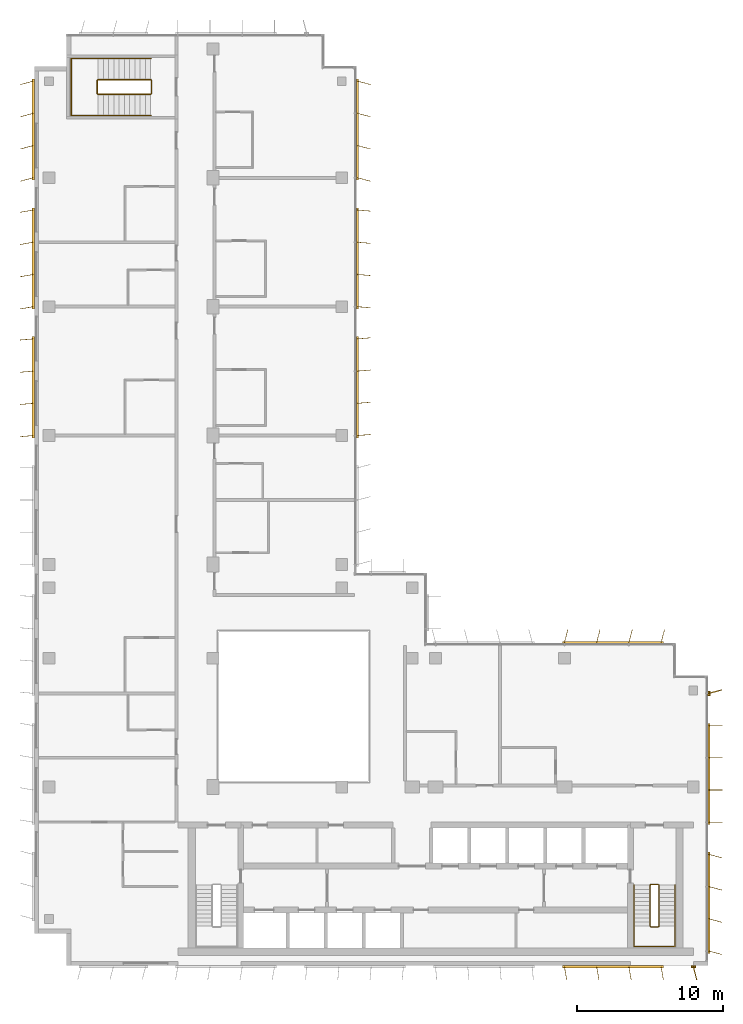
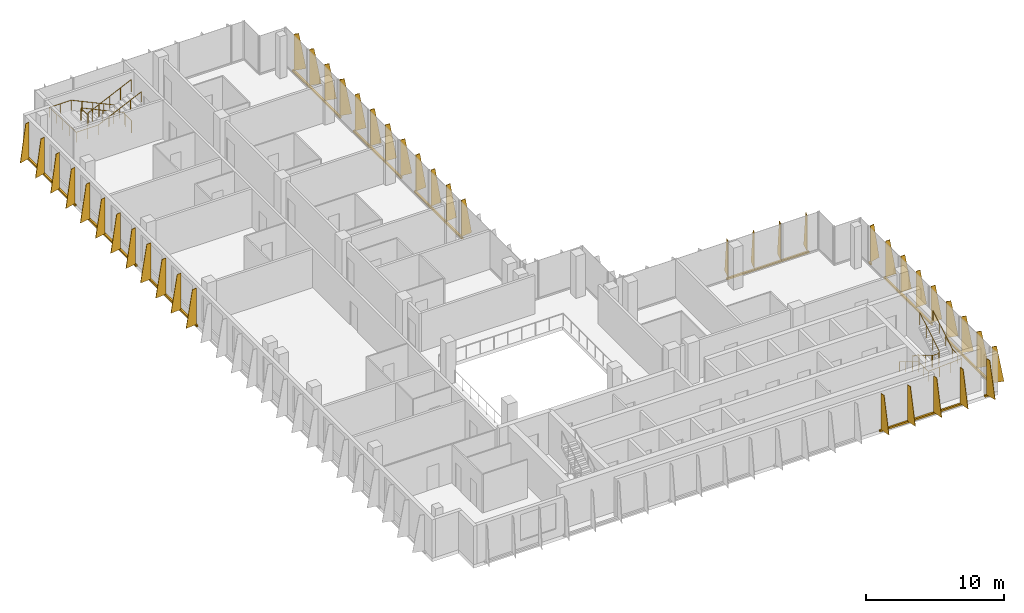
# One storey, part 14 of 15: 12 shading devices, 4 railings.
"""IFC4 building model written with IfcOpenShell, lengths in metres."""

from ifc_helpers import new_model, si_unit, direction, frame, origin, origin_2d, place, context, subcontext, project, spatial, polyline, rectangle, circle, outline, extrude, source, transform, mapped, material, layer, layer_set, type_object, element, save


model = new_model("IFC4")

# Units and contexts
model_context = context("Model", 3, precision=1e-05, world=origin(), true_north=direction((0.0, 1.0)))
body_context = subcontext(model_context, "Body", "Model", "MODEL_VIEW")
ifc_project = project(units=[si_unit("LENGTHUNIT", "METRE"), si_unit("AREAUNIT", "SQUARE_METRE"), si_unit("VOLUMEUNIT", "CUBIC_METRE"), si_unit("PLANEANGLEUNIT", "RADIAN"), si_unit("MASSUNIT", "GRAM", prefix="KILO")], contexts=[model_context])

# Site, building, storey
site_placement = place(None, origin())
site = spatial("IfcSite", under=ifc_project, at=site_placement, CompositionType="ELEMENT")
building_placement = place(site_placement, origin())
building = spatial("IfcBuilding", under=site, at=building_placement, Name="Kemantara Hotel Tower", CompositionType="ELEMENT")
storey_placement = place(building_placement, frame((0.0, 0.0, 233.89990234375)))
storey = spatial("IfcBuildingStorey", under=building, at=storey_placement, Name="L58", CompositionType="ELEMENT", Elevation=233.89990234375)

# Railings
ifc_material_1 = material(Name="Stainless steel balustrade", Category="steel")
railing_type_1 = type_object("IfcRailingType", Name="Stair guard 1100 mm", PredefinedType="GUARDRAIL", material=ifc_material_1)
railing_1_placement = place(storey_placement, frame((42.64990234375, 5.5, 3.7001953125)))
element("IfcRailing", 1, at=railing_1_placement, inside=storey, type_object=railing_type_1, Name="L58 ST2 stair guard 1", PredefinedType="GUARDRAIL", context=body_context, shape_type="SweptSolid", body=[
    extrude(circle(Radius=0.02392578125, at=origin_2d()), frame((0.0, 0.0, 1.076171875), z_axis=(0.0, -0.857242210791, -0.514913383045), x_axis=(1.0, 0.0, 0.0)), (0.0, 0.0, 1.0), 3.266357421875),
    extrude(circle(Radius=0.02392578125, at=origin_2d()), frame((0.0, -2.800048828125, -0.60595703125), z_axis=(-0.273006030465, -0.27434429532, -0.922064485248), x_axis=(0.708833529934, -0.705375805398, 0.0)), (0.0, 0.0, 1.0), 0.182373046875),
    extrude(circle(Radius=0.02392578125, at=origin_2d()), frame((-0.0498046875, -2.85009765625, -0.77392578125), z_axis=(-1.0, 0.0, 0.0), x_axis=(0.0, -1.0, 0.0)), (0.0, 0.0, 1.0), 0.5),
    extrude(circle(Radius=0.02392578125, at=origin_2d()), frame((-0.5498046875, -2.85009765625, -0.77392578125), z_axis=(-0.707106781187, 0.707106781187, 0.0), x_axis=(-0.707106781187, -0.707106781187, 0.0)), (0.0, 0.0, 1.0), 0.07080078125),
    extrude(circle(Radius=0.02392578125, at=origin_2d()), frame((-0.599853515625, -2.800048828125, -0.77392578125), z_axis=(0.0, 0.857242210791, -0.514913383045), x_axis=(-1.0, 0.0, 0.0)), (0.0, 0.0, 1.0), 3.266357421875),
    extrude(circle(Radius=0.02392578125, at=origin_2d()), frame((-0.599853515625, 0.0, -2.4560546875), z_axis=(0.274243871929, 0.274243871929, -0.92172696468), x_axis=(-0.707106781187, 0.707106781187, 0.0)), (0.0, 0.0, 1.0), 0.1826171875),
    extrude(circle(Radius=0.02392578125, at=origin_2d()), frame((-0.5498046875, 0.050048828125, -2.6240234375), z_axis=(1.0, 0.0, 0.0), x_axis=(0.0, 1.0, 0.0)), (0.0, 0.0, 1.0), 0.5),
    extrude(circle(Radius=0.02099609375, at=origin_2d()), origin(), (0.0, 0.0, 1.0), 1.052001953125),
    extrude(circle(Radius=0.02099609375, at=origin_2d()), frame((0.0, -0.933349609375, -0.560546875)), (0.0, 0.0, 1.0), 1.052001953125),
    extrude(circle(Radius=0.02099609375, at=origin_2d()), frame((0.0, -1.86669921875, -1.121337890625)), (0.0, 0.0, 1.0), 1.052001953125),
    extrude(circle(Radius=0.02099609375, at=origin_2d()), frame((0.0, -2.800048828125, -1.681884765625)), (0.0, 0.0, 1.0), 1.052001953125),
    extrude(circle(Radius=0.02099609375, at=origin_2d()), frame((-0.0498046875, -2.85009765625, -1.85009765625)), (0.0, 0.0, 1.0), 1.052001953125),
    extrude(circle(Radius=0.02099609375, at=origin_2d()), frame((-0.5498046875, -2.85009765625, -1.85009765625)), (0.0, 0.0, 1.0), 1.052001953125),
    extrude(circle(Radius=0.02099609375, at=origin_2d()), frame((-0.599853515625, -2.800048828125, -1.85009765625)), (0.0, 0.0, 1.0), 1.052001953125),
    extrude(circle(Radius=0.02099609375, at=origin_2d()), frame((-0.599853515625, -1.86669921875, -2.41064453125)), (0.0, 0.0, 1.0), 1.052001953125),
    extrude(circle(Radius=0.02099609375, at=origin_2d()), frame((-0.599853515625, -0.933349609375, -2.971435546875)), (0.0, 0.0, 1.0), 1.052001953125),
    extrude(circle(Radius=0.02099609375, at=origin_2d()), frame((-0.599853515625, 0.0, -3.531982421875)), (0.0, 0.0, 1.0), 1.052001953125),
    extrude(circle(Radius=0.02099609375, at=origin_2d()), frame((-0.5498046875, 0.050048828125, -3.7001953125)), (0.0, 0.0, 1.0), 1.052001953125),
    extrude(circle(Radius=0.02099609375, at=origin_2d()), frame((-0.0498046875, 0.050048828125, -3.7001953125)), (0.0, 0.0, 1.0), 1.052001953125),
])
railing_2_placement = place(storey_placement, frame((7.949951171875, 59.5, 3.7001953125)))
element("IfcRailing", 2, at=railing_2_placement, inside=storey, type_object=railing_type_1, Name="L58 ST4 stair guard 1", PredefinedType="GUARDRAIL", context=body_context, shape_type="SweptSolid", body=[
    extrude(circle(Radius=0.02392578125, at=origin_2d()), frame((0.0, 0.0, 1.076171875), z_axis=(-0.905994681025, 0.0, -0.423289071386), x_axis=(0.0, -1.0, 0.0)), (0.0, 0.0, 1.0), 3.973388671875),
    extrude(circle(Radius=0.02392578125, at=origin_2d()), frame((-3.599853515625, 0.0, -0.60595703125), z_axis=(-0.274243871929, 0.274243871929, -0.92172696468), x_axis=(-0.707106781187, -0.707106781187, 0.0)), (0.0, 0.0, 1.0), 0.1826171875),
    extrude(circle(Radius=0.02392578125, at=origin_2d()), frame((-3.64990234375, 0.050048828125, -0.77392578125), z_axis=(0.0, 1.0, 0.0), x_axis=(-1.0, 0.0, 0.0)), (0.0, 0.0, 1.0), 0.89990234375),
    extrude(circle(Radius=0.02392578125, at=origin_2d()), frame((-3.64990234375, 0.949951171875, -0.77392578125), z_axis=(0.707106781187, 0.707106781187, 0.0), x_axis=(-0.707106781187, 0.707106781187, 0.0)), (0.0, 0.0, 1.0), 0.07080078125),
    extrude(circle(Radius=0.02392578125, at=origin_2d()), frame((-3.599853515625, 1.0, -0.77392578125), z_axis=(0.905994681025, 0.0, -0.423289071386), x_axis=(0.0, 1.0, 0.0)), (0.0, 0.0, 1.0), 3.973388671875),
    extrude(circle(Radius=0.02392578125, at=origin_2d()), frame((0.0, 1.0, -2.4560546875), z_axis=(0.274243871929, -0.274243871929, -0.92172696468), x_axis=(0.707106781187, 0.707106781187, 0.0)), (0.0, 0.0, 1.0), 0.1826171875),
    extrude(circle(Radius=0.02392578125, at=origin_2d()), frame((0.050048828125, 0.949951171875, -2.6240234375), z_axis=(0.0, -1.0, 0.0), x_axis=(1.0, 0.0, 0.0)), (0.0, 0.0, 1.0), 0.89990234375),
    extrude(circle(Radius=0.02099609375, at=origin_2d()), origin(), (0.0, 0.0, 1.0), 1.052001953125),
    extrude(circle(Radius=0.02099609375, at=origin_2d()), frame((-0.89990234375, 0.0, -0.42041015625)), (0.0, 0.0, 1.0), 1.052001953125),
    extrude(circle(Radius=0.02099609375, at=origin_2d()), frame((-1.7998046875, 0.0, -0.8408203125)), (0.0, 0.0, 1.0), 1.052001953125),
    extrude(circle(Radius=0.02099609375, at=origin_2d()), frame((-2.699951171875, 0.0, -1.261474609375)), (0.0, 0.0, 1.0), 1.052001953125),
    extrude(circle(Radius=0.02099609375, at=origin_2d()), frame((-3.599853515625, 0.0, -1.681884765625)), (0.0, 0.0, 1.0), 1.052001953125),
    extrude(circle(Radius=0.02099609375, at=origin_2d()), frame((-3.64990234375, 0.050048828125, -1.85009765625)), (0.0, 0.0, 1.0), 1.052001953125),
    extrude(circle(Radius=0.02099609375, at=origin_2d()), frame((-3.64990234375, 0.949951171875, -1.85009765625)), (0.0, 0.0, 1.0), 1.052001953125),
    extrude(circle(Radius=0.02099609375, at=origin_2d()), frame((-3.599853515625, 1.0, -1.85009765625)), (0.0, 0.0, 1.0), 1.052001953125),
    extrude(circle(Radius=0.02099609375, at=origin_2d()), frame((-2.699951171875, 1.0, -2.2705078125)), (0.0, 0.0, 1.0), 1.052001953125),
    extrude(circle(Radius=0.02099609375, at=origin_2d()), frame((-1.7998046875, 1.0, -2.69091796875)), (0.0, 0.0, 1.0), 1.052001953125),
    extrude(circle(Radius=0.02099609375, at=origin_2d()), frame((-0.89990234375, 1.0, -3.111572265625)), (0.0, 0.0, 1.0), 1.052001953125),
    extrude(circle(Radius=0.02099609375, at=origin_2d()), frame((0.0, 1.0, -3.531982421875)), (0.0, 0.0, 1.0), 1.052001953125),
    extrude(circle(Radius=0.02099609375, at=origin_2d()), frame((0.050048828125, 0.949951171875, -3.7001953125)), (0.0, 0.0, 1.0), 1.052001953125),
    extrude(circle(Radius=0.02099609375, at=origin_2d()), frame((0.050048828125, 0.050048828125, -3.7001953125)), (0.0, 0.0, 1.0), 1.052001953125),
])
railing_type_2 = type_object("IfcRailingType", Name="Stair handrail 900 mm", PredefinedType="HANDRAIL", material=ifc_material_1)
railing_3_placement = place(storey_placement, frame((40.949951171875, 5.5, 0.168212890625)))
element("IfcRailing", 3, at=railing_3_placement, inside=storey, type_object=railing_type_2, Name="L58 ST2 stair handrail 1", PredefinedType="HANDRAIL", context=body_context, shape_type="SweptSolid", body=[
    extrude(circle(Radius=0.02392578125, at=origin_2d()), frame((0.0, 0.0, 0.8759765625), z_axis=(0.0, -0.857242210791, 0.514913383045), x_axis=(1.0, 0.0, 0.0)), (0.0, 0.0, 1.0), 3.266357421875),
    extrude(circle(Radius=0.02392578125, at=origin_2d()), frame((0.0, -2.800048828125, 2.5576171875), z_axis=(0.0, -1.0, 0.0), x_axis=(1.0, 0.0, 0.0)), (0.0, 0.0, 1.0), 1.3798828125),
    extrude(circle(Radius=0.02392578125, at=origin_2d()), frame((0.0, -4.179931640625, 2.5576171875), z_axis=(0.998200367801, 0.0, 0.059966871865), x_axis=(0.0, 1.0, 0.0)), (0.0, 0.0, 1.0), 2.80517578125),
    extrude(circle(Radius=0.02392578125, at=origin_2d()), frame((2.800048828125, -4.179931640625, 2.72607421875), z_axis=(0.0, 1.0, 0.0), x_axis=(-1.0, 0.0, 0.0)), (0.0, 0.0, 1.0), 1.3798828125),
    extrude(circle(Radius=0.02392578125, at=origin_2d()), frame((2.800048828125, -2.800048828125, 2.72607421875), z_axis=(0.0, 0.857242210791, 0.514913383045), x_axis=(-1.0, 0.0, 0.0)), (0.0, 0.0, 1.0), 3.266357421875),
    extrude(circle(Radius=0.02099609375, at=origin_2d()), origin(), (0.0, 0.0, 1.0), 0.851806640625),
    extrude(circle(Radius=0.02099609375, at=origin_2d()), frame((0.0, -0.933349609375, 0.560546875)), (0.0, 0.0, 1.0), 0.851806640625),
    extrude(circle(Radius=0.02099609375, at=origin_2d()), frame((0.0, -1.86669921875, 1.121337890625)), (0.0, 0.0, 1.0), 0.851806640625),
    extrude(circle(Radius=0.02099609375, at=origin_2d()), frame((0.0, -2.800048828125, 1.681884765625)), (0.0, 0.0, 1.0), 0.851806640625),
    extrude(circle(Radius=0.02099609375, at=origin_2d()), frame((0.0, -3.489990234375, 1.681884765625)), (0.0, 0.0, 1.0), 0.851806640625),
    extrude(circle(Radius=0.02099609375, at=origin_2d()), frame((0.0, -4.179931640625, 1.681884765625)), (0.0, 0.0, 1.0), 0.851806640625),
    extrude(circle(Radius=0.02099609375, at=origin_2d()), frame((0.933349609375, -4.179931640625, 1.738037109375)), (0.0, 0.0, 1.0), 0.851806640625),
    extrude(circle(Radius=0.02099609375, at=origin_2d()), frame((1.86669921875, -4.179931640625, 1.7939453125)), (0.0, 0.0, 1.0), 0.851806640625),
    extrude(circle(Radius=0.02099609375, at=origin_2d()), frame((2.800048828125, -4.179931640625, 1.85009765625)), (0.0, 0.0, 1.0), 0.851806640625),
    extrude(circle(Radius=0.02099609375, at=origin_2d()), frame((2.800048828125, -3.489990234375, 1.85009765625)), (0.0, 0.0, 1.0), 0.851806640625),
    extrude(circle(Radius=0.02099609375, at=origin_2d()), frame((2.800048828125, -2.800048828125, 1.85009765625)), (0.0, 0.0, 1.0), 0.851806640625),
    extrude(circle(Radius=0.02099609375, at=origin_2d()), frame((2.800048828125, -1.86669921875, 2.41064453125)), (0.0, 0.0, 1.0), 0.851806640625),
    extrude(circle(Radius=0.02099609375, at=origin_2d()), frame((2.800048828125, -0.933349609375, 2.971435546875)), (0.0, 0.0, 1.0), 0.851806640625),
    extrude(circle(Radius=0.02099609375, at=origin_2d()), frame((2.800048828125, 0.0, 3.531982421875)), (0.0, 0.0, 1.0), 0.851806640625),
])
railing_4_placement = place(storey_placement, frame((7.949951171875, 61.949951171875, 0.168212890625)))
element("IfcRailing", 4, at=railing_4_placement, inside=storey, type_object=railing_type_2, Name="L58 ST4 stair handrail 1", PredefinedType="HANDRAIL", context=body_context, shape_type="SweptSolid", body=[
    extrude(circle(Radius=0.02392578125, at=origin_2d()), frame((0.0, 0.0, 0.8759765625), z_axis=(-0.905994681025, 0.0, 0.423289071386), x_axis=(0.0, -1.0, 0.0)), (0.0, 0.0, 1.0), 3.973388671875),
    extrude(circle(Radius=0.02392578125, at=origin_2d()), frame((-3.599853515625, 0.0, 2.5576171875), z_axis=(-1.0, 0.0, 0.0), x_axis=(0.0, -1.0, 0.0)), (0.0, 0.0, 1.0), 1.830078125),
    extrude(circle(Radius=0.02392578125, at=origin_2d()), frame((-5.429931640625, 0.0, 2.5576171875), z_axis=(0.0, -0.999071085748, 0.043092523981), x_axis=(1.0, 0.0, 0.0)), (0.0, 0.0, 1.0), 3.903564453125),
    extrude(circle(Radius=0.02392578125, at=origin_2d()), frame((-5.429931640625, -3.89990234375, 2.72607421875), z_axis=(1.0, 0.0, 0.0), x_axis=(0.0, 1.0, 0.0)), (0.0, 0.0, 1.0), 1.830078125),
    extrude(circle(Radius=0.02392578125, at=origin_2d()), frame((-3.599853515625, -3.89990234375, 2.72607421875), z_axis=(0.905994681025, 0.0, 0.423289071386), x_axis=(0.0, 1.0, 0.0)), (0.0, 0.0, 1.0), 3.973388671875),
    extrude(circle(Radius=0.02099609375, at=origin_2d()), origin(), (0.0, 0.0, 1.0), 0.851806640625),
    extrude(circle(Radius=0.02099609375, at=origin_2d()), frame((-0.89990234375, 0.0, 0.42041015625)), (0.0, 0.0, 1.0), 0.851806640625),
    extrude(circle(Radius=0.02099609375, at=origin_2d()), frame((-1.7998046875, 0.0, 0.8408203125)), (0.0, 0.0, 1.0), 0.851806640625),
    extrude(circle(Radius=0.02099609375, at=origin_2d()), frame((-2.699951171875, 0.0, 1.261474609375)), (0.0, 0.0, 1.0), 0.851806640625),
    extrude(circle(Radius=0.02099609375, at=origin_2d()), frame((-3.599853515625, 0.0, 1.681884765625)), (0.0, 0.0, 1.0), 0.851806640625),
    extrude(circle(Radius=0.02099609375, at=origin_2d()), frame((-4.514892578125, 0.0, 1.681884765625)), (0.0, 0.0, 1.0), 0.851806640625),
    extrude(circle(Radius=0.02099609375, at=origin_2d()), frame((-5.429931640625, 0.0, 1.681884765625)), (0.0, 0.0, 1.0), 0.851806640625),
    extrude(circle(Radius=0.02099609375, at=origin_2d()), frame((-5.429931640625, -0.97509765625, 1.723876953125)), (0.0, 0.0, 1.0), 0.851806640625),
    extrude(circle(Radius=0.02099609375, at=origin_2d()), frame((-5.429931640625, -1.949951171875, 1.76611328125)), (0.0, 0.0, 1.0), 0.851806640625),
    extrude(circle(Radius=0.02099609375, at=origin_2d()), frame((-5.429931640625, -2.9248046875, 1.80810546875)), (0.0, 0.0, 1.0), 0.851806640625),
    extrude(circle(Radius=0.02099609375, at=origin_2d()), frame((-5.429931640625, -3.89990234375, 1.85009765625)), (0.0, 0.0, 1.0), 0.851806640625),
    extrude(circle(Radius=0.02099609375, at=origin_2d()), frame((-4.514892578125, -3.89990234375, 1.85009765625)), (0.0, 0.0, 1.0), 0.851806640625),
    extrude(circle(Radius=0.02099609375, at=origin_2d()), frame((-3.599853515625, -3.89990234375, 1.85009765625)), (0.0, 0.0, 1.0), 0.851806640625),
    extrude(circle(Radius=0.02099609375, at=origin_2d()), frame((-2.699951171875, -3.89990234375, 2.2705078125)), (0.0, 0.0, 1.0), 0.851806640625),
    extrude(circle(Radius=0.02099609375, at=origin_2d()), frame((-1.7998046875, -3.89990234375, 2.69091796875)), (0.0, 0.0, 1.0), 0.851806640625),
    extrude(circle(Radius=0.02099609375, at=origin_2d()), frame((-0.89990234375, -3.89990234375, 3.111572265625)), (0.0, 0.0, 1.0), 0.851806640625),
    extrude(circle(Radius=0.02099609375, at=origin_2d()), frame((0.0, -3.89990234375, 3.531982421875)), (0.0, 0.0, 1.0), 0.851806640625),
])

# Shading devices
ifc_material_2 = material(Name="Perforated aluminium plate 4 mm bronze anodised", Category="aluminium")
ifc_layer_1 = layer(ifc_material_2, 0.0400390625)
ifc_layer_set_1 = layer_set([ifc_layer_1], Name="Perforated aluminium plate 4 mm bronze anodised")
shading_device_type_1 = type_object("IfcShadingDeviceType", Name="SCREEN FIN CASSETTE, 4 BLADES AT -5.0 DEG, 3200 HIGH", PredefinedType="USERDEFINED", material=ifc_layer_set_1)
shared_shape_1 = source(origin(), body_context, "Body", "SweptSolid", [
    extrude(rectangle(XDim=6.89990234375, YDim=0.14990234375, at=origin_2d()), frame((3.300048828125, -0.074951171875, -0.14990234375), z_axis=(0.0, 0.0, 1.0), x_axis=(1.0, 0.0, 0.0)), (0.0, 0.0, 1.0), 0.14990234375),
    extrude(outline(polyline([(0.0, 0.0), (0.89990234375, 0.0), (0.35009765625, 3.199951171875), (0.0, 3.199951171875), (0.0, 0.0)])), frame((0.02001953125, -0.07666015625, 0.0), z_axis=(-0.996376129781, 0.085056498884, 0.0), x_axis=(-0.085056498884, -0.996376129781, 0.0)), (0.0, 0.0, 1.0), 0.040283203125),
    extrude(outline(polyline([(0.0, 0.0), (0.89990234375, 0.0), (0.35009765625, 3.199951171875), (0.0, 3.199951171875), (0.0, 0.0)])), frame((2.219970703125, -0.07666015625, 0.0), z_axis=(-0.996331773833, 0.085574508182, 0.0), x_axis=(-0.085574508182, -0.996331773833, 0.0)), (0.0, 0.0, 1.0), 0.0400390625),
    extrude(outline(polyline([(0.0, 0.0), (0.89990234375, 0.0), (0.35009765625, 3.199951171875), (0.0, 3.199951171875), (0.0, 0.0)])), frame((4.419921875, -0.07666015625, 0.0), z_axis=(-0.996331773833, 0.085574508182, 0.0), x_axis=(-0.085574508182, -0.996331773833, 0.0)), (0.0, 0.0, 1.0), 0.0400390625),
    extrude(outline(polyline([(0.0, 0.0), (0.89990234375, 0.0), (0.35009765625, 3.199951171875), (0.0, 3.199951171875), (0.0, 0.0)])), frame((6.619873046875, -0.07666015625, 0.0), z_axis=(-0.996331773833, 0.085574508182, 0.0), x_axis=(-0.085574508182, -0.996331773833, 0.0)), (0.0, 0.0, 1.0), 0.0400390625),
])
shading_device_1_placement = place(storey_placement, frame((22.0, 45.0, 0.10009765625), z_axis=(0.0, 0.0, 1.0), x_axis=(0.0, 1.0, 0.0)))
element("IfcShadingDevice", 5, at=shading_device_1_placement, inside=storey, type_object=shading_device_type_1, Name="SCREEN FIN CASSETTE L58 T4-R15-3", ObjectType="SCREEN FIN", PredefinedType="USERDEFINED", context=body_context, shape_type="MappedRepresentation", body=[
    mapped(shared_shape_1, transform((0.0, 0.0, 0.0))),
])
ifc_layer_2 = layer(ifc_material_2, 0.0400390625)
ifc_layer_set_2 = layer_set([ifc_layer_2], Name="Perforated aluminium plate 4 mm bronze anodised")
shading_device_type_2 = type_object("IfcShadingDeviceType", Name="SCREEN FIN CASSETTE, 4 BLADES AT +0.0 DEG, 3200 HIGH", PredefinedType="USERDEFINED", material=ifc_layer_set_2)
shared_shape_2 = source(origin(), body_context, "Body", "SweptSolid", [
    extrude(rectangle(XDim=6.89990234375, YDim=0.14990234375, at=origin_2d()), frame((3.300048828125, -0.074951171875, -0.14990234375), z_axis=(0.0, 0.0, 1.0), x_axis=(1.0, 0.0, 0.0)), (0.0, 0.0, 1.0), 0.14990234375),
    extrude(outline(polyline([(0.0, 0.0), (0.89990234375, 0.0), (0.35009765625, 3.199951171875), (0.0, 3.199951171875), (0.0, 0.0)])), frame((0.02001953125, -0.074951171875, 0.0), z_axis=(-1.0, 0.0, 0.0), x_axis=(0.0, -1.0, 0.0)), (0.0, 0.0, 1.0), 0.0400390625),
    extrude(outline(polyline([(0.0, 0.0), (0.89990234375, 0.0), (0.35009765625, 3.199951171875), (0.0, 3.199951171875), (0.0, 0.0)])), frame((2.219970703125, -0.074951171875, 0.0), z_axis=(-1.0, 0.0, 0.0), x_axis=(0.0, -1.0, 0.0)), (0.0, 0.0, 1.0), 0.0400390625),
    extrude(outline(polyline([(0.0, 0.0), (0.89990234375, 0.0), (0.35009765625, 3.199951171875), (0.0, 3.199951171875), (0.0, 0.0)])), frame((4.419921875, -0.074951171875, 0.0), z_axis=(-1.0, 0.0, 0.0), x_axis=(0.0, -1.0, 0.0)), (0.0, 0.0, 1.0), 0.0400390625),
    extrude(outline(polyline([(0.0, 0.0), (0.89990234375, 0.0), (0.35009765625, 3.199951171875), (0.0, 3.199951171875), (0.0, 0.0)])), frame((6.6201171875, -0.074951171875, 0.0), z_axis=(-1.0, 0.0, 0.0), x_axis=(0.0, -1.0, 0.0)), (0.0, 0.0, 1.0), 0.0400390625),
])
shading_device_2_placement = place(storey_placement, frame((46.0, 9.800048828125, 0.10009765625), z_axis=(0.0, 0.0, 1.0), x_axis=(0.0, 1.0, 0.0)))
element("IfcShadingDevice", 6, at=shading_device_2_placement, inside=storey, type_object=shading_device_type_2, Name="SCREEN FIN CASSETTE L58 T4-R09-2", ObjectType="SCREEN FIN", PredefinedType="USERDEFINED", context=body_context, shape_type="MappedRepresentation", body=[
    mapped(shared_shape_2, transform((0.0, 0.0, 0.0))),
])
ifc_layer_3 = layer(ifc_material_2, 0.0400390625)
ifc_layer_set_3 = layer_set([ifc_layer_3], Name="Perforated aluminium plate 4 mm bronze anodised")
shading_device_type_3 = type_object("IfcShadingDeviceType", Name="SCREEN FIN CASSETTE, 4 BLADES AT +5.0 DEG, 3200 HIGH", PredefinedType="USERDEFINED", material=ifc_layer_set_3)
shared_shape_3 = source(origin(), body_context, "Body", "SweptSolid", [
    extrude(rectangle(XDim=6.89990234375, YDim=0.14990234375, at=origin_2d()), frame((3.300048828125, -0.074951171875, -0.14990234375), z_axis=(0.0, 0.0, 1.0), x_axis=(1.0, 0.0, 0.0)), (0.0, 0.0, 1.0), 0.14990234375),
    extrude(outline(polyline([(0.0, 0.0), (0.89990234375, 0.0), (0.35009765625, 3.199951171875), (0.0, 3.199951171875), (0.0, 0.0)])), frame((0.02001953125, -0.0732421875, 0.0), z_axis=(-0.996376129781, -0.085056498884, 0.0), x_axis=(0.085056498884, -0.996376129781, 0.0)), (0.0, 0.0, 1.0), 0.040283203125),
    extrude(outline(polyline([(0.0, 0.0), (0.89990234375, 0.0), (0.35009765625, 3.199951171875), (0.0, 3.199951171875), (0.0, 0.0)])), frame((2.219970703125, -0.0732421875, 0.0), z_axis=(-0.996331773833, -0.085574508182, 0.0), x_axis=(0.085574508182, -0.996331773833, 0.0)), (0.0, 0.0, 1.0), 0.0400390625),
    extrude(outline(polyline([(0.0, 0.0), (0.89990234375, 0.0), (0.35009765625, 3.199951171875), (0.0, 3.199951171875), (0.0, 0.0)])), frame((4.419921875, -0.0732421875, 0.0), z_axis=(-0.996331773833, -0.085574508182, 0.0), x_axis=(0.085574508182, -0.996331773833, 0.0)), (0.0, 0.0, 1.0), 0.0400390625),
    extrude(outline(polyline([(0.0, 0.0), (0.89990234375, 0.0), (0.35009765625, 3.199951171875), (0.0, 3.199951171875), (0.0, 0.0)])), frame((6.619873046875, -0.0732421875, 0.0), z_axis=(-0.996331773833, -0.085574508182, 0.0), x_axis=(0.085574508182, -0.996331773833, 0.0)), (0.0, 0.0, 1.0), 0.0400390625),
])
for number, where, z_axis, x_axis, name in (
    (7, (0.0, 42.800048828125, 0.10009765625), (0.0, 0.0, 1.0), (0.0, -1.0, 0.0), "SCREEN FIN CASSETTE L58 T4-R05-3"),
    (8, (22.0, 36.199951171875, 0.10009765625), (0.0, 0.0, 1.0), (0.0, 1.0, 0.0), "SCREEN FIN CASSETTE L58 T4-R15-2"),
):
    element("IfcShadingDevice", number, at=place(storey_placement, frame(where, z_axis=z_axis, x_axis=x_axis)), inside=storey, type_object=shading_device_type_3, Name=name, ObjectType="SCREEN FIN", PredefinedType="USERDEFINED", context=body_context, shape_type="MappedRepresentation", body=[
        mapped(shared_shape_3, transform((0.0, 0.0, 0.0))),
    ])
ifc_layer_4 = layer(ifc_material_2, 0.0400390625)
ifc_layer_set_4 = layer_set([ifc_layer_4], Name="Perforated aluminium plate 4 mm bronze anodised")
shading_device_type_4 = type_object("IfcShadingDeviceType", Name="SCREEN FIN CASSETTE, 4 BLADES AT +10.0 DEG, 3200 HIGH", PredefinedType="USERDEFINED", material=ifc_layer_set_4)
shared_shape_4 = source(origin(), body_context, "Body", "SweptSolid", [
    extrude(rectangle(XDim=6.89990234375, YDim=0.14990234375, at=origin_2d()), frame((3.300048828125, -0.074951171875, -0.14990234375), z_axis=(0.0, 0.0, 1.0), x_axis=(1.0, 0.0, 0.0)), (0.0, 0.0, 1.0), 0.14990234375),
    extrude(outline(polyline([(0.0, 0.0), (0.89990234375, 0.0), (0.35009765625, 3.199951171875), (0.0, 3.199951171875), (0.0, 0.0)])), frame((0.019775390625, -0.071533203125, 0.0), z_axis=(-0.985389793052, -0.170314285219, 0.0), x_axis=(0.170314285219, -0.985389793052, 0.0)), (0.0, 0.0, 1.0), 0.0400390625),
    extrude(outline(polyline([(0.0, 0.0), (0.89990234375, 0.0), (0.35009765625, 3.199951171875), (0.0, 3.199951171875), (0.0, 0.0)])), frame((2.2197265625, -0.071533203125, 0.0), z_axis=(-0.98521175482, -0.171341174751, 0.0), x_axis=(0.171341174751, -0.98521175482, 0.0)), (0.0, 0.0, 1.0), 0.039794921875),
    extrude(outline(polyline([(0.0, 0.0), (0.89990234375, 0.0), (0.35009765625, 3.199951171875), (0.0, 3.199951171875), (0.0, 0.0)])), frame((4.419677734375, -0.071533203125, 0.0), z_axis=(-0.98521175482, -0.171341174751, 0.0), x_axis=(0.171341174751, -0.98521175482, 0.0)), (0.0, 0.0, 1.0), 0.039794921875),
    extrude(outline(polyline([(0.0, 0.0), (0.89990234375, 0.0), (0.35009765625, 3.199951171875), (0.0, 3.199951171875), (0.0, 0.0)])), frame((6.61962890625, -0.071533203125, 0.0), z_axis=(-0.98521175482, -0.171341174751, 0.0), x_axis=(0.171341174751, -0.98521175482, 0.0)), (0.0, 0.0, 1.0), 0.039794921875),
])
for number, where, z_axis, x_axis, name in (
    (9, (0.0, 51.60009765625, 0.10009765625), (0.0, 0.0, 1.0), (0.0, -1.0, 0.0), "SCREEN FIN CASSETTE L58 T4-R05-2"),
    (10, (36.199951171875, 0.0, 0.10009765625), (0.0, 0.0, 1.0), (1.0, 0.0, 0.0), "SCREEN FIN CASSETTE L58 T4-R08-5"),
):
    element("IfcShadingDevice", number, at=place(storey_placement, frame(where, z_axis=z_axis, x_axis=x_axis)), inside=storey, type_object=shading_device_type_4, Name=name, ObjectType="SCREEN FIN", PredefinedType="USERDEFINED", context=body_context, shape_type="MappedRepresentation", body=[
        mapped(shared_shape_4, transform((0.0, 0.0, 0.0))),
    ])
ifc_layer_5 = layer(ifc_material_2, 0.0400390625)
ifc_layer_set_5 = layer_set([ifc_layer_5], Name="Perforated aluminium plate 4 mm bronze anodised")
shading_device_type_5 = type_object("IfcShadingDeviceType", Name="SCREEN FIN CASSETTE, 4 BLADES AT +15.0 DEG, 3200 HIGH", PredefinedType="USERDEFINED", material=ifc_layer_set_5)
shared_shape_5 = source(origin(), body_context, "Body", "SweptSolid", [
    extrude(rectangle(XDim=6.89990234375, YDim=0.14990234375, at=origin_2d()), frame((3.300048828125, -0.074951171875, -0.14990234375), z_axis=(0.0, 0.0, 1.0), x_axis=(1.0, 0.0, 0.0)), (0.0, 0.0, 1.0), 0.14990234375),
    extrude(outline(polyline([(0.0, 0.0), (0.89990234375, 0.0), (0.35009765625, 3.199951171875), (0.0, 3.199951171875), (0.0, 0.0)])), frame((0.019287109375, -0.06982421875, 0.0), z_axis=(-0.966437683387, -0.256901156343, 0.0), x_axis=(0.256901156343, -0.966437683387, 0.0)), (0.0, 0.0, 1.0), 0.039794921875),
    extrude(outline(polyline([(0.0, 0.0), (0.89990234375, 0.0), (0.35009765625, 3.199951171875), (0.0, 3.199951171875), (0.0, 0.0)])), frame((2.21923828125, -0.06982421875, 0.0), z_axis=(-0.966437683387, -0.256901156343, 0.0), x_axis=(0.256901156343, -0.966437683387, 0.0)), (0.0, 0.0, 1.0), 0.039794921875),
    extrude(outline(polyline([(0.0, 0.0), (0.89990234375, 0.0), (0.35009765625, 3.199951171875), (0.0, 3.199951171875), (0.0, 0.0)])), frame((4.41943359375, -0.06982421875, 0.0), z_axis=(-0.966837822169, -0.255391122837, 0.0), x_axis=(0.255391122837, -0.966837822169, 0.0)), (0.0, 0.0, 1.0), 0.0400390625),
    extrude(outline(polyline([(0.0, 0.0), (0.89990234375, 0.0), (0.35009765625, 3.199951171875), (0.0, 3.199951171875), (0.0, 0.0)])), frame((6.619384765625, -0.06982421875, 0.0), z_axis=(-0.966837822169, -0.255391122837, 0.0), x_axis=(0.255391122837, -0.966837822169, 0.0)), (0.0, 0.0, 1.0), 0.0400390625),
])
shading_device_3_placement = place(storey_placement, frame((0.0, 60.39990234375, 0.10009765625), z_axis=(0.0, 0.0, 1.0), x_axis=(0.0, -1.0, 0.0)))
element("IfcShadingDevice", 11, at=shading_device_3_placement, inside=storey, type_object=shading_device_type_5, Name="SCREEN FIN CASSETTE L58 T4-R05-1", ObjectType="SCREEN FIN", PredefinedType="USERDEFINED", context=body_context, shape_type="MappedRepresentation", body=[
    mapped(shared_shape_5, transform((0.0, 0.0, 0.0))),
])
ifc_layer_6 = layer(ifc_material_2, 0.0400390625)
ifc_layer_set_6 = layer_set([ifc_layer_6], Name="Perforated aluminium plate 4 mm bronze anodised")
shading_device_type_6 = type_object("IfcShadingDeviceType", Name="SCREEN FIN CASSETTE, 4 BLADES AT -15.0 DEG, 3200 HIGH", PredefinedType="USERDEFINED", material=ifc_layer_set_6)
shared_shape_6 = source(origin(), body_context, "Body", "SweptSolid", [
    extrude(rectangle(XDim=6.89990234375, YDim=0.14990234375, at=origin_2d()), frame((3.300048828125, -0.074951171875, -0.14990234375), z_axis=(0.0, 0.0, 1.0), x_axis=(1.0, 0.0, 0.0)), (0.0, 0.0, 1.0), 0.14990234375),
    extrude(outline(polyline([(0.0, 0.0), (0.89990234375, 0.0), (0.35009765625, 3.199951171875), (0.0, 3.199951171875), (0.0, 0.0)])), frame((0.019287109375, -0.080078125, 0.0), z_axis=(-0.966437683387, 0.256901156343, 0.0), x_axis=(-0.256901156343, -0.966437683387, 0.0)), (0.0, 0.0, 1.0), 0.039794921875),
    extrude(outline(polyline([(0.0, 0.0), (0.89990234375, 0.0), (0.35009765625, 3.199951171875), (0.0, 3.199951171875), (0.0, 0.0)])), frame((2.21923828125, -0.080078125, 0.0), z_axis=(-0.966437683387, 0.256901156343, 0.0), x_axis=(-0.256901156343, -0.966437683387, 0.0)), (0.0, 0.0, 1.0), 0.039794921875),
    extrude(outline(polyline([(0.0, 0.0), (0.89990234375, 0.0), (0.35009765625, 3.199951171875), (0.0, 3.199951171875), (0.0, 0.0)])), frame((4.41943359375, -0.080078125, 0.0), z_axis=(-0.966837822169, 0.255391122837, 0.0), x_axis=(-0.255391122837, -0.966837822169, 0.0)), (0.0, 0.0, 1.0), 0.0400390625),
    extrude(outline(polyline([(0.0, 0.0), (0.89990234375, 0.0), (0.35009765625, 3.199951171875), (0.0, 3.199951171875), (0.0, 0.0)])), frame((6.619384765625, -0.080078125, 0.0), z_axis=(-0.966837822169, 0.255391122837, 0.0), x_axis=(-0.255391122837, -0.966837822169, 0.0)), (0.0, 0.0, 1.0), 0.0400390625),
])
for number, where, z_axis, x_axis, name in (
    (12, (46.0, 1.0, 0.10009765625), (0.0, 0.0, 1.0), (0.0, 1.0, 0.0), "SCREEN FIN CASSETTE L58 T4-R09-1"),
    (13, (42.800048828125, 22.0, 0.10009765625), (0.0, 0.0, 1.0), (-1.0, 0.0, 0.0), "SCREEN FIN CASSETTE L58 T4-R12-1"),
    (14, (22.0, 53.800048828125, 0.10009765625), (0.0, 0.0, 1.0), (0.0, 1.0, 0.0), "SCREEN FIN CASSETTE L58 T4-R15-4"),
):
    element("IfcShadingDevice", number, at=place(storey_placement, frame(where, z_axis=z_axis, x_axis=x_axis)), inside=storey, type_object=shading_device_type_6, Name=name, ObjectType="SCREEN FIN", PredefinedType="USERDEFINED", context=body_context, shape_type="MappedRepresentation", body=[
        mapped(shared_shape_6, transform((0.0, 0.0, 0.0))),
    ])
ifc_layer_7 = layer(ifc_material_2, 0.0400390625)
ifc_layer_set_7 = layer_set([ifc_layer_7], Name="Perforated aluminium plate 4 mm bronze anodised")
shading_device_type_7 = type_object("IfcShadingDeviceType", Name="SCREEN FIN CASSETTE, 1 BLADE AT +15.0 DEG, 3200 HIGH", PredefinedType="USERDEFINED", material=ifc_layer_set_7)
shared_shape_7 = source(origin(), body_context, "Body", "SweptSolid", [
    extrude(rectangle(XDim=0.300048828125, YDim=0.14990234375, at=origin_2d()), frame((0.0, -0.074951171875, -0.14990234375), z_axis=(0.0, 0.0, 1.0), x_axis=(1.0, 0.0, 0.0)), (0.0, 0.0, 1.0), 0.14990234375),
    extrude(outline(polyline([(0.0, 0.0), (0.89990234375, 0.0), (0.35009765625, 3.199951171875), (0.0, 3.199951171875), (0.0, 0.0)])), frame((0.019287109375, -0.06982421875, 0.0), z_axis=(-0.966437683387, -0.256901156343, 0.0), x_axis=(0.256901156343, -0.966437683387, 0.0)), (0.0, 0.0, 1.0), 0.039794921875),
])
for number, where, z_axis, x_axis, name in (
    (15, (45.0, 0.0, 0.10009765625), (0.0, 0.0, 1.0), (1.0, 0.0, 0.0), "SCREEN FIN CASSETTE L58 T4-R08-6"),
    (16, (46.0, 18.60009765625, 0.10009765625), (0.0, 0.0, 1.0), (0.0, 1.0, 0.0), "SCREEN FIN CASSETTE L58 T4-R09-3"),
):
    element("IfcShadingDevice", number, at=place(storey_placement, frame(where, z_axis=z_axis, x_axis=x_axis)), inside=storey, type_object=shading_device_type_7, Name=name, ObjectType="SCREEN FIN", PredefinedType="USERDEFINED", context=body_context, shape_type="MappedRepresentation", body=[
        mapped(shared_shape_7, transform((0.0, 0.0, 0.0))),
    ])

save(model, "model.ifc")
